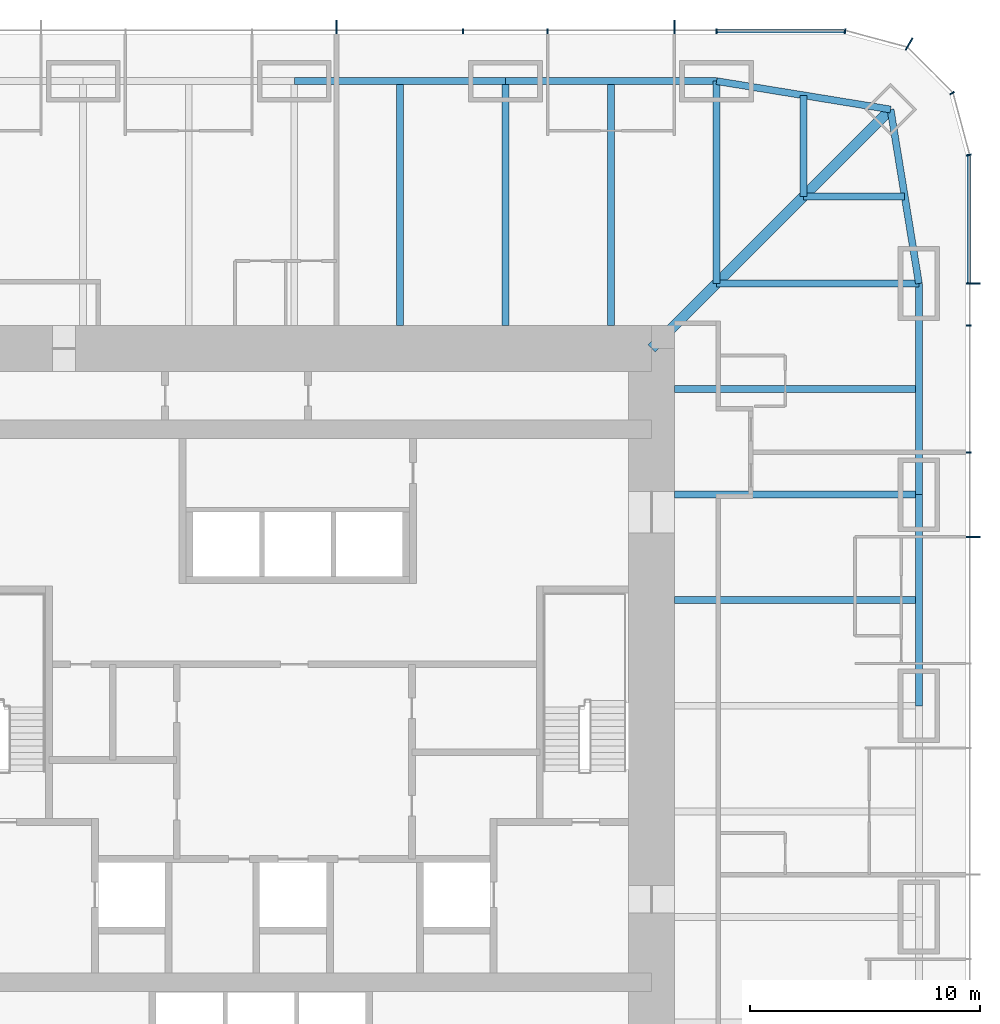
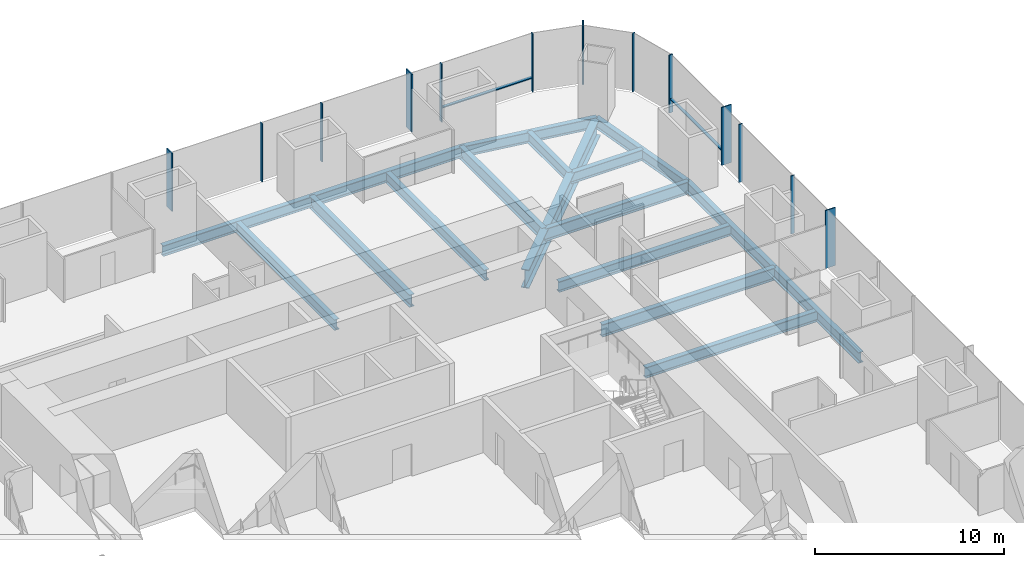
# One storey, part 6 of 13: 17 beams, 15 members, 3 elements without a shape of their own.
"""IFC4 building model written with IfcOpenShell, lengths in metres."""

from ifc_helpers import new_model, si_unit, direction, frame, origin, origin_2d, place, context, subcontext, project, spatial, rectangle, i_section, extrude, material, material_profile, profile_set, type_object, element, aggregate, save


model = new_model("IFC4")

# Units and contexts
model_context = context("Model", 3, precision=1e-05, world=origin(), true_north=direction((0.0, 1.0)))
body_context = subcontext(model_context, "Body", "Model", "MODEL_VIEW")
ifc_project = project(units=[si_unit("LENGTHUNIT", "METRE"), si_unit("AREAUNIT", "SQUARE_METRE"), si_unit("VOLUMEUNIT", "CUBIC_METRE"), si_unit("PLANEANGLEUNIT", "RADIAN"), si_unit("MASSUNIT", "GRAM", prefix="KILO")], contexts=[model_context])

# Site, building, storey
site_placement = place(None, origin())
site = spatial("IfcSite", under=ifc_project, at=site_placement, CompositionType="ELEMENT")
building_placement = place(site_placement, origin())
building = spatial("IfcBuilding", under=site, at=building_placement, Name="Khuree Lantern Residences", CompositionType="ELEMENT")
storey_placement = place(building_placement, frame((0.0, 0.0, 118.5)))
storey = spatial("IfcBuildingStorey", under=building, at=storey_placement, Name="L29", CompositionType="ELEMENT", Elevation=118.5)

# Beams
ifc_material_1 = material(Name="Steel S355", Category="steel")
ifc_material_profile_1 = material_profile(ifc_material_1, i_section(OverallWidth=0.300048828125, OverallDepth=0.68994140625, WebThickness=0.014404296875, FlangeThickness=0.027099609375, FilletRadius=0.027099609375, at=origin_2d()), Name="HE 700 A")
ifc_profile_set_1 = profile_set([ifc_material_profile_1], Name="Steel S355")
beam_type_1 = type_object("IfcBeamType", Name="B-21A SECONDARY BEAM HE 700 A", PredefinedType="BEAM", material=ifc_profile_set_1)
for number, where, z_axis, x_axis, name in (
    (1, (4.580078125, 27.10009765625, -0.594970703125), (0.0, -1.0, 0.0), (1.0, 0.0, 0.0), "Secondary beam N3"),
    (2, (13.739990234375, 27.10009765625, -0.594970703125), (0.0, -1.0, 0.0), (1.0, 0.0, 0.0), "Secondary beam N4"),
):
    element("IfcBeam", number, at=place(storey_placement, frame(where, z_axis=z_axis, x_axis=x_axis)), inside=storey, type_object=beam_type_1, Name=name, PredefinedType="BEAM", context=body_context, shape_type="SweptSolid", body=[
        extrude(i_section(OverallWidth=0.300048828125, OverallDepth=0.68994140625, WebThickness=0.014404296875, FlangeThickness=0.027099609375, FilletRadius=0.027099609375, at=origin_2d()), origin(), (0.0, 0.0, 1.0), 10.60009765625),
    ])
for number, where, z_axis, x_axis, name in (
    (3, (22.094970703125, 26.48486328125, -0.594970703125), (0.0, -1.0, 0.0), (1.0, 0.0, 0.0), "Secondary beam N5"),
    (4, (26.48486328125, 22.094970703125, -0.594970703125), (-1.0, 0.0, 0.0), (0.0, -1.0, 0.0), "Secondary beam E1"),
):
    element("IfcBeam", number, at=place(storey_placement, frame(where, z_axis=z_axis, x_axis=x_axis)), inside=storey, type_object=beam_type_1, Name=name, PredefinedType="BEAM", context=body_context, shape_type="SweptSolid", body=[
        extrude(i_section(OverallWidth=0.300048828125, OverallDepth=0.68994140625, WebThickness=0.014404296875, FlangeThickness=0.027099609375, FilletRadius=0.027099609375, at=origin_2d()), origin(), (0.0, 0.0, 1.0), 4.389892578125),
    ])
for number, where, z_axis, x_axis, name in (
    (5, (27.10009765625, 13.739990234375, -0.594970703125), (-1.0, 0.0, 0.0), (0.0, -1.0, 0.0), "Secondary beam E2"),
    (6, (27.10009765625, 4.580078125, -0.594970703125), (-1.0, 0.0, 0.0), (0.0, -1.0, 0.0), "Secondary beam E3"),
):
    element("IfcBeam", number, at=place(storey_placement, frame(where, z_axis=z_axis, x_axis=x_axis)), inside=storey, type_object=beam_type_1, Name=name, PredefinedType="BEAM", context=body_context, shape_type="SweptSolid", body=[
        extrude(i_section(OverallWidth=0.300048828125, OverallDepth=0.68994140625, WebThickness=0.014404296875, FlangeThickness=0.027099609375, FilletRadius=0.027099609375, at=origin_2d()), origin(), (0.0, 0.0, 1.0), 10.60009765625),
    ])
ifc_material_profile_2 = material_profile(ifc_material_1, i_section(OverallWidth=0.300048828125, OverallDepth=0.68994140625, WebThickness=0.014404296875, FlangeThickness=0.027099609375, FilletRadius=0.027099609375, at=origin_2d()), Name="HE 700 A")
ifc_profile_set_2 = profile_set([ifc_material_profile_2], Name="Steel S355")
beam_type_2 = type_object("IfcBeamType", Name="E-21 SPANDREL BEAM HE 700 A", PredefinedType="SPANDREL", material=ifc_profile_set_2)
beam_1_placement = place(storey_placement, frame((0.0, 27.10009765625, -0.594970703125), z_axis=(1.0, 0.0, 0.0), x_axis=(0.0, 1.0, 0.0)))
element("IfcBeam", 7, at=beam_1_placement, inside=storey, type_object=beam_type_2, Name="Spandrel beam N3", PredefinedType="SPANDREL", context=body_context, shape_type="SweptSolid", body=[
    extrude(i_section(OverallWidth=0.300048828125, OverallDepth=0.68994140625, WebThickness=0.014404296875, FlangeThickness=0.027099609375, FilletRadius=0.027099609375, at=origin_2d()), origin(), (0.0, 0.0, 1.0), 9.159912109375),
])
beam_2_placement = place(storey_placement, frame((9.159912109375, 27.10009765625, -0.594970703125), z_axis=(1.0, 0.0, 0.0), x_axis=(0.0, 1.0, 0.0)))
element("IfcBeam", 8, at=beam_2_placement, inside=storey, type_object=beam_type_2, Name="Spandrel beam N4", PredefinedType="SPANDREL", context=body_context, shape_type="SweptSolid", body=[
    extrude(i_section(OverallWidth=0.300048828125, OverallDepth=0.68994140625, WebThickness=0.014404296875, FlangeThickness=0.027099609375, FilletRadius=0.027099609375, at=origin_2d()), origin(), (0.0, 0.0, 1.0), 9.16015625),
])
for number, where, z_axis, x_axis, name in (
    (9, (18.320068359375, 27.10009765625, -0.594970703125), (0.986982656839, -0.160826723833, 0.0), (0.160826723833, 0.986982656839, 0.0), "Spandrel beam N5"),
    (10, (25.869873046875, 25.869873046875, -0.594970703125), (0.160826723833, -0.986982656839, 0.0), (0.986982656839, 0.160826723833, 0.0), "Spandrel beam E1"),
):
    element("IfcBeam", number, at=place(storey_placement, frame(where, z_axis=z_axis, x_axis=x_axis)), inside=storey, type_object=beam_type_2, Name=name, PredefinedType="SPANDREL", context=body_context, shape_type="SweptSolid", body=[
        extrude(i_section(OverallWidth=0.300048828125, OverallDepth=0.68994140625, WebThickness=0.014404296875, FlangeThickness=0.027099609375, FilletRadius=0.027099609375, at=origin_2d()), origin(), (0.0, 0.0, 1.0), 7.6494140625),
    ])
beam_3_placement = place(storey_placement, frame((27.10009765625, 18.320068359375, -0.594970703125), z_axis=(0.0, -1.0, 0.0), x_axis=(1.0, 0.0, 0.0)))
element("IfcBeam", 11, at=beam_3_placement, inside=storey, type_object=beam_type_2, Name="Spandrel beam E2", PredefinedType="SPANDREL", context=body_context, shape_type="SweptSolid", body=[
    extrude(i_section(OverallWidth=0.300048828125, OverallDepth=0.68994140625, WebThickness=0.014404296875, FlangeThickness=0.027099609375, FilletRadius=0.027099609375, at=origin_2d()), origin(), (0.0, 0.0, 1.0), 9.16015625),
])
beam_4_placement = place(storey_placement, frame((27.10009765625, 9.159912109375, -0.594970703125), z_axis=(0.0, -1.0, 0.0), x_axis=(1.0, 0.0, 0.0)))
element("IfcBeam", 12, at=beam_4_placement, inside=storey, type_object=beam_type_2, Name="Spandrel beam E3", PredefinedType="SPANDREL", context=body_context, shape_type="SweptSolid", body=[
    extrude(i_section(OverallWidth=0.300048828125, OverallDepth=0.68994140625, WebThickness=0.014404296875, FlangeThickness=0.027099609375, FilletRadius=0.027099609375, at=origin_2d()), origin(), (0.0, 0.0, 1.0), 9.159912109375),
])

# Curtain wall, members
ifc_material_2 = material(Name="Bronze anodised aluminium", Category="aluminium")
curtain_wall_type_1 = type_object("IfcCurtainWallType", Name="CW-T1 TOWER FACE CURTAIN WALL", PredefinedType="USERDEFINED", material=ifc_material_2)
curtain_wall_1_placement = place(storey_placement, origin())
curtain_wall_1 = element("IfcCurtainWall", 13, at=curtain_wall_1_placement, inside=storey, type_object=curtain_wall_type_1, Name="L29 EAST FACE CURTAIN WALL", ObjectType="Stick-built curtain wall", PredefinedType="USERDEFINED")
ifc_material_profile_3 = material_profile(ifc_material_2, rectangle(XDim=0.06494140625, YDim=0.60009765625, at=origin_2d()), Name="F1 65X600")
ifc_profile_set_3 = profile_set([ifc_material_profile_3], Name="Bronze anodised aluminium")
member_type_1 = type_object("IfcMemberType", Name="F1 BRONZE FIN MULLION TOWER 65X600", PredefinedType="MULLION", material=ifc_profile_set_3)
member_1_placement = place(storey_placement, frame((29.449951171875, 7.327880859375, 0.0), z_axis=(0.0, 0.0, 1.0), x_axis=(0.0, 1.0, 0.0)))
member_1 = element("IfcMember", 14, at=member_1_placement, type_object=member_type_1, Name="L29 EAST FACE FIN MULLION 11", PredefinedType="MULLION", context=body_context, shape_type="SweptSolid", body=[
    extrude(rectangle(XDim=0.06494140625, YDim=0.60009765625, at=origin_2d()), origin(), (0.0, 0.0, 1.0), 3.75),
])
member_2_placement = place(storey_placement, frame((29.449951171875, 18.320068359375, 0.0), z_axis=(0.0, 0.0, 1.0), x_axis=(0.0, 1.0, 0.0)))
member_2 = element("IfcMember", 15, at=member_2_placement, type_object=member_type_1, Name="L29 EAST FACE FIN MULLION 14", PredefinedType="MULLION", context=body_context, shape_type="SweptSolid", body=[
    extrude(rectangle(XDim=0.06494140625, YDim=0.60009765625, at=origin_2d()), origin(), (0.0, 0.0, 1.0), 3.75),
])

# Curtain wall, member
curtain_wall_type_2 = type_object("IfcCurtainWallType", Name="CW-T2 TOWER CORNER CURTAIN WALL", PredefinedType="USERDEFINED", material=ifc_material_2)
curtain_wall_2_placement = place(storey_placement, origin())
curtain_wall_2 = element("IfcCurtainWall", 16, at=curtain_wall_2_placement, inside=storey, type_object=curtain_wall_type_2, Name="L29 NORTH-EAST CORNER CURTAIN WALL", ObjectType="Faceted corner curtain wall", PredefinedType="USERDEFINED")
member_3_placement = place(storey_placement, frame((26.675048828125, 28.70654296875, 0.0), z_axis=(0.0, 0.0, 1.0), x_axis=(-0.866025388199, 0.500000026995, 0.0)))
member_3 = element("IfcMember", 17, at=member_3_placement, type_object=member_type_1, Name="L29 NORTH-EAST CORNER FIN MULLION 17", PredefinedType="MULLION", context=body_context, shape_type="SweptSolid", body=[
    extrude(rectangle(XDim=0.06494140625, YDim=0.60009765625, at=origin_2d()), origin(), (0.0, 0.0, 1.0), 3.75),
])

# Curtain wall, members
curtain_wall_3_placement = place(storey_placement, origin())
curtain_wall_3 = element("IfcCurtainWall", 18, at=curtain_wall_3_placement, inside=storey, type_object=curtain_wall_type_1, Name="L29 NORTH FACE CURTAIN WALL", ObjectType="Stick-built curtain wall", PredefinedType="USERDEFINED")
member_4_placement = place(storey_placement, frame((16.488037109375, 29.449951171875, 0.0), z_axis=(0.0, 0.0, 1.0), x_axis=(-1.0, 0.0, 0.0)))
member_4 = element("IfcMember", 19, at=member_4_placement, type_object=member_type_1, Name="L29 NORTH FACE FIN MULLION 20", PredefinedType="MULLION", context=body_context, shape_type="SweptSolid", body=[
    extrude(rectangle(XDim=0.06494140625, YDim=0.60009765625, at=origin_2d()), origin(), (0.0, 0.0, 1.0), 3.75),
])
member_5_placement = place(storey_placement, frame((1.83203125, 29.449951171875, 0.0), z_axis=(0.0, 0.0, 1.0), x_axis=(-1.0, 0.0, 0.0)))
member_5 = element("IfcMember", 20, at=member_5_placement, type_object=member_type_1, Name="L29 NORTH FACE FIN MULLION 23", PredefinedType="MULLION", context=body_context, shape_type="SweptSolid", body=[
    extrude(rectangle(XDim=0.06494140625, YDim=0.60009765625, at=origin_2d()), origin(), (0.0, 0.0, 1.0), 3.75),
])

# Beams
ifc_material_profile_4 = material_profile(ifc_material_1, i_section(OverallWidth=0.300048828125, OverallDepth=0.800048828125, WebThickness=0.017578125, FlangeThickness=0.032958984375, FilletRadius=0.030029296875, at=origin_2d()), Name="HE 800 B")
ifc_profile_set_4 = profile_set([ifc_material_profile_4], Name="Steel S355")
beam_type_3 = type_object("IfcBeamType", Name="G-21 GIRDER HE 800 B", PredefinedType="BEAM", material=ifc_profile_set_4)
beam_5_placement = place(storey_placement, frame((9.159912109375, 27.10009765625, -0.64990234375), z_axis=(0.0, -1.0, 0.0), x_axis=(1.0, 0.0, 0.0)))
element("IfcBeam", 21, at=beam_5_placement, inside=storey, type_object=beam_type_3, Name="Girder N4", PredefinedType="BEAM", context=body_context, shape_type="SweptSolid", body=[
    extrude(i_section(OverallWidth=0.300048828125, OverallDepth=0.800048828125, WebThickness=0.017578125, FlangeThickness=0.032958984375, FilletRadius=0.030029296875, at=origin_2d()), origin(), (0.0, 0.0, 1.0), 10.60009765625),
])
for number, where, z_axis, x_axis, name in (
    (22, (18.320068359375, 27.10009765625, -0.64990234375), (0.0, -1.0, 0.0), (1.0, 0.0, 0.0), "Girder N5"),
    (23, (27.10009765625, 18.320068359375, -0.64990234375), (-1.0, 0.0, 0.0), (0.0, -1.0, 0.0), "Girder E1"),
):
    element("IfcBeam", number, at=place(storey_placement, frame(where, z_axis=z_axis, x_axis=x_axis)), inside=storey, type_object=beam_type_3, Name=name, PredefinedType="BEAM", context=body_context, shape_type="SweptSolid", body=[
        extrude(i_section(OverallWidth=0.300048828125, OverallDepth=0.800048828125, WebThickness=0.017578125, FlangeThickness=0.032958984375, FilletRadius=0.030029296875, at=origin_2d()), origin(), (0.0, 0.0, 1.0), 8.780029296875),
    ])
beam_6_placement = place(storey_placement, frame((27.10009765625, 9.159912109375, -0.64990234375), z_axis=(-1.0, 0.0, 0.0), x_axis=(0.0, -1.0, 0.0)))
element("IfcBeam", 24, at=beam_6_placement, inside=storey, type_object=beam_type_3, Name="Girder E2", PredefinedType="BEAM", context=body_context, shape_type="SweptSolid", body=[
    extrude(i_section(OverallWidth=0.300048828125, OverallDepth=0.800048828125, WebThickness=0.017578125, FlangeThickness=0.032958984375, FilletRadius=0.030029296875, at=origin_2d()), origin(), (0.0, 0.0, 1.0), 10.60009765625),
])
ifc_material_profile_5 = material_profile(ifc_material_1, i_section(OverallWidth=0.449951171875, OverallDepth=1.199951171875, WebThickness=0.02490234375, FlangeThickness=0.044921875, at=origin_2d()), Name="WELDED I 1200X450X25X45")
ifc_profile_set_5 = profile_set([ifc_material_profile_5], Name="Steel S355")
beam_type_4 = type_object("IfcBeamType", Name="GD-21 CORNER GIRDER WELDED I 1200X450X25X45", PredefinedType="BEAM", material=ifc_profile_set_5)
beam_7_placement = place(storey_placement, frame((25.869873046875, 25.869873046875, -0.85009765625), z_axis=(-0.707106781187, -0.707106781187, 0.0), x_axis=(0.707106781187, -0.707106781187, 0.0)))
element("IfcBeam", 25, at=beam_7_placement, inside=storey, type_object=beam_type_4, Name="Corner girder NE", PredefinedType="BEAM", context=body_context, shape_type="SweptSolid", body=[
    extrude(i_section(OverallWidth=0.449951171875, OverallDepth=1.199951171875, WebThickness=0.02490234375, FlangeThickness=0.044921875, at=origin_2d()), origin(), (0.0, 0.0, 1.0), 14.665283203125),
])

# Member
ifc_material_profile_6 = material_profile(ifc_material_2, rectangle(XDim=0.06494140625, YDim=0.219970703125, at=origin_2d()), Name="M1 65X220")
ifc_profile_set_6 = profile_set([ifc_material_profile_6], Name="Bronze anodised aluminium")
member_type_2 = type_object("IfcMemberType", Name="M1 BRONZE MULLION TOWER 65X220", PredefinedType="MULLION", material=ifc_profile_set_6)
member_6_placement = place(storey_placement, frame((29.260009765625, 10.991943359375, 0.0), z_axis=(0.0, 0.0, 1.0), x_axis=(0.0, 1.0, 0.0)))
member_6 = element("IfcMember", 26, at=member_6_placement, type_object=member_type_2, Name="L29 EAST FACE MULLION 12", PredefinedType="MULLION", context=body_context, shape_type="SweptSolid", body=[
    extrude(rectangle(XDim=0.06494140625, YDim=0.219970703125, at=origin_2d()), origin(), (0.0, 0.0, 1.0), 3.75),
])

member_7_placement = place(storey_placement, frame((29.260009765625, 16.488037109375, 0.0), z_axis=(0.0, 0.0, 1.0), x_axis=(0.0, 1.0, 0.0)))
member_7 = element("IfcMember", 27, at=member_7_placement, type_object=member_type_2, Name="L29 EAST FACE MULLION 13", PredefinedType="MULLION", context=body_context, shape_type="SweptSolid", body=[
    extrude(rectangle(XDim=0.06494140625, YDim=0.219970703125, at=origin_2d()), origin(), (0.0, 0.0, 1.0), 3.75),
])

member_8_placement = place(storey_placement, frame((29.26171875, 23.89501953125, 0.0), z_axis=(0.0, 0.0, 1.0), x_axis=(-0.130526223125, 0.991444857305, 0.0)))
member_8 = element("IfcMember", 28, at=member_8_placement, type_object=member_type_2, Name="L29 NORTH-EAST CORNER MULLION 15", PredefinedType="MULLION", context=body_context, shape_type="SweptSolid", body=[
    extrude(rectangle(XDim=0.06494140625, YDim=0.219970703125, at=origin_2d()), origin(), (0.0, 0.0, 1.0), 3.75),
])

member_9_placement = place(storey_placement, frame((28.5419921875, 26.580078125, 0.0), z_axis=(0.0, 0.0, 1.0), x_axis=(-0.500000026995, 0.866025388199, 0.0)))
member_9 = element("IfcMember", 29, at=member_9_placement, type_object=member_type_2, Name="L29 NORTH-EAST CORNER MULLION 16", PredefinedType="MULLION", context=body_context, shape_type="SweptSolid", body=[
    extrude(rectangle(XDim=0.06494140625, YDim=0.219970703125, at=origin_2d()), origin(), (0.0, 0.0, 1.0), 3.75),
])

aggregate(curtain_wall_2, [member_8, member_9, member_3])

member_10_placement = place(storey_placement, frame((23.89501953125, 29.26171875, 0.0), z_axis=(0.0, 0.0, 1.0), x_axis=(-0.991444857305, 0.130526223125, 0.0)))
member_10 = element("IfcMember", 30, at=member_10_placement, type_object=member_type_2, Name="L29 NORTH FACE MULLION 18", PredefinedType="MULLION", context=body_context, shape_type="SweptSolid", body=[
    extrude(rectangle(XDim=0.06494140625, YDim=0.219970703125, at=origin_2d()), origin(), (0.0, 0.0, 1.0), 3.75),
])

member_11_placement = place(storey_placement, frame((18.320068359375, 29.260009765625, 0.0), z_axis=(0.0, 0.0, 1.0), x_axis=(-1.0, 0.0, 0.0)))
member_11 = element("IfcMember", 31, at=member_11_placement, type_object=member_type_2, Name="L29 NORTH FACE MULLION 19", PredefinedType="MULLION", context=body_context, shape_type="SweptSolid", body=[
    extrude(rectangle(XDim=0.06494140625, YDim=0.219970703125, at=origin_2d()), origin(), (0.0, 0.0, 1.0), 3.75),
])

member_12_placement = place(storey_placement, frame((10.991943359375, 29.260009765625, 0.0), z_axis=(0.0, 0.0, 1.0), x_axis=(-1.0, 0.0, 0.0)))
member_12 = element("IfcMember", 32, at=member_12_placement, type_object=member_type_2, Name="L29 NORTH FACE MULLION 21", PredefinedType="MULLION", context=body_context, shape_type="SweptSolid", body=[
    extrude(rectangle(XDim=0.06494140625, YDim=0.219970703125, at=origin_2d()), origin(), (0.0, 0.0, 1.0), 3.75),
])

member_13_placement = place(storey_placement, frame((7.327880859375, 29.260009765625, 0.0), z_axis=(0.0, 0.0, 1.0), x_axis=(-1.0, 0.0, 0.0)))
member_13 = element("IfcMember", 33, at=member_13_placement, type_object=member_type_2, Name="L29 NORTH FACE MULLION 22", PredefinedType="MULLION", context=body_context, shape_type="SweptSolid", body=[
    extrude(rectangle(XDim=0.06494140625, YDim=0.219970703125, at=origin_2d()), origin(), (0.0, 0.0, 1.0), 3.75),
])

ifc_material_profile_7 = material_profile(ifc_material_2, rectangle(XDim=0.179931640625, YDim=0.06494140625, at=origin_2d()), Name="T1 180X65")
ifc_profile_set_7 = profile_set([ifc_material_profile_7], Name="Bronze anodised aluminium")
member_type_3 = type_object("IfcMemberType", Name="TRANSOM T1 TOWER 180X65", PredefinedType="USERDEFINED", material=ifc_profile_set_7)
member_14_placement = place(storey_placement, frame((29.27001953125, 18.3525390625, 0.89990234375), z_axis=(0.0, 1.0, 0.0), x_axis=(-1.0, 0.0, 0.0)))
member_14 = element("IfcMember", 34, at=member_14_placement, type_object=member_type_3, Name="L29 EAST FACE TRANSOM 14.1", ObjectType="Transom", PredefinedType="USERDEFINED", context=body_context, shape_type="SweptSolid", body=[
    extrude(rectangle(XDim=0.179931640625, YDim=0.06494140625, at=origin_2d()), origin(), (0.0, 0.0, 1.0), 5.498779296875),
])

aggregate(curtain_wall_1, [member_1, member_6, member_7, member_2, member_14])

member_15_placement = place(storey_placement, frame((23.851318359375, 29.27001953125, 0.89990234375), z_axis=(-1.0, 0.0, 0.0), x_axis=(0.0, -1.0, 0.0)))
member_15 = element("IfcMember", 35, at=member_15_placement, type_object=member_type_3, Name="L29 NORTH FACE TRANSOM 18.1", ObjectType="Transom", PredefinedType="USERDEFINED", context=body_context, shape_type="SweptSolid", body=[
    extrude(rectangle(XDim=0.179931640625, YDim=0.06494140625, at=origin_2d()), origin(), (0.0, 0.0, 1.0), 5.498779296875),
])

aggregate(curtain_wall_3, [member_10, member_11, member_4, member_12, member_13, member_5, member_15])

save(model, "model.ifc")
